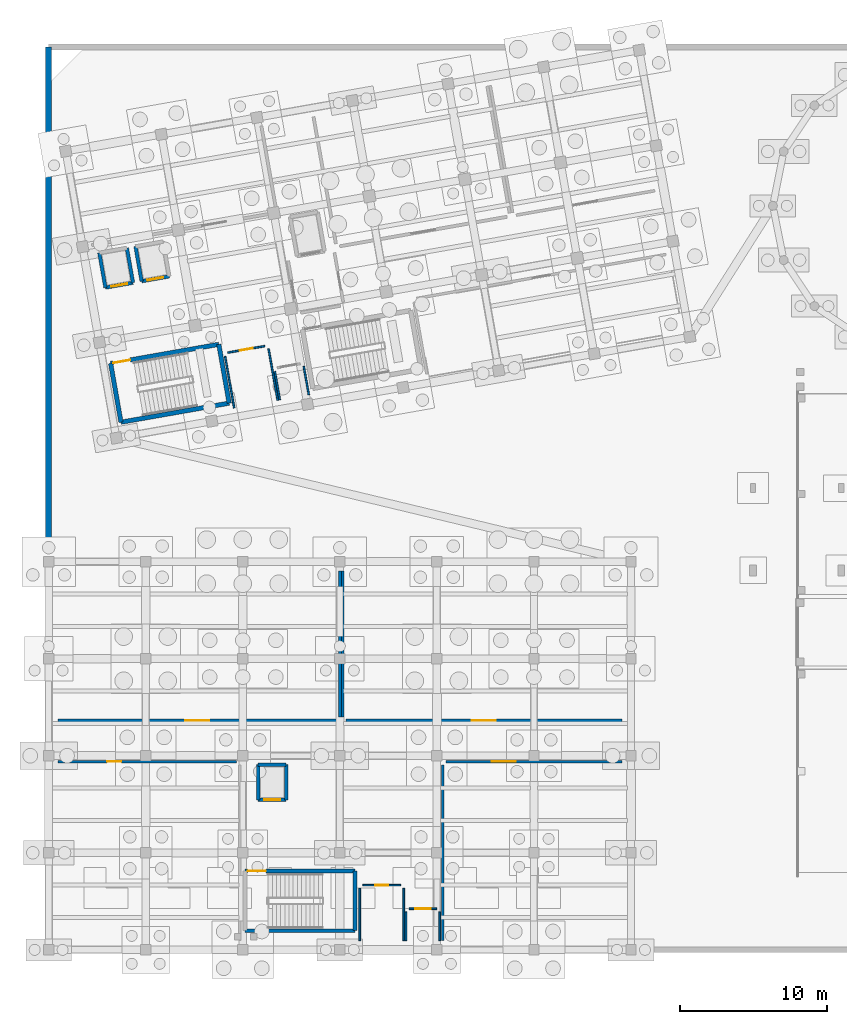
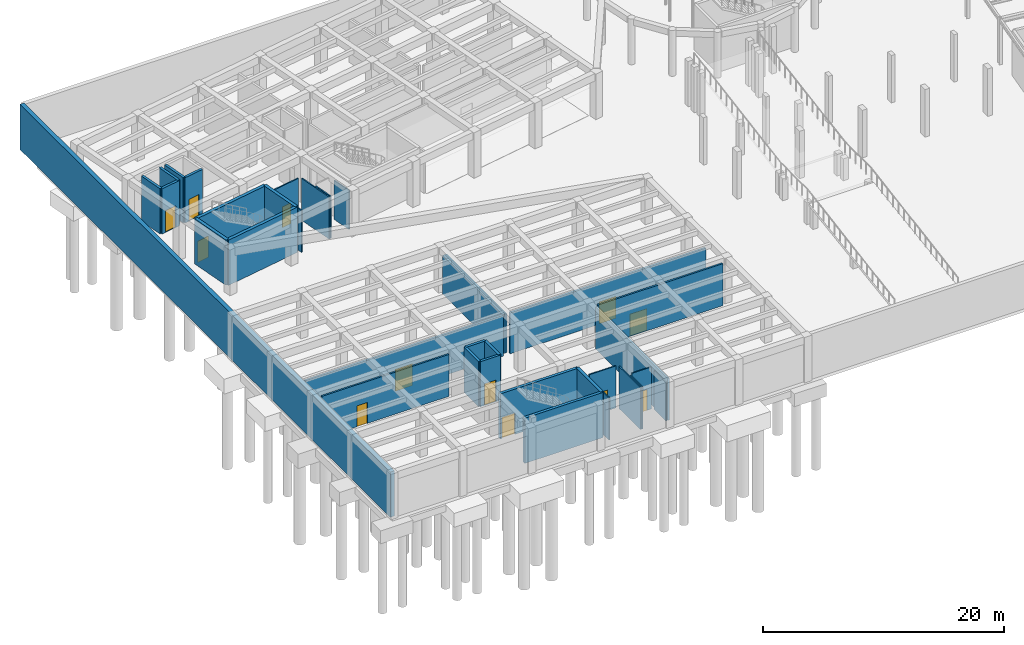
# One storey, part 22 of 34: 35 walls, 12 doors, 12 openings.
"""IFC4 building model written with IfcOpenShell, lengths in metres."""

from ifc_helpers import new_model, si_unit, direction, frame, frame_2d, origin, place, context, subcontext, project, spatial, rectangle, extrude, material, layer, layer_set, type_object, element, fill, save


model = new_model("IFC4")

# Units and contexts
model_context = context("Model", 3, precision=1e-05, world=origin(), true_north=direction((0.0, 1.0)))
body_context = subcontext(model_context, "Body", "Model", "MODEL_VIEW")
ifc_project = project(units=[si_unit("LENGTHUNIT", "METRE"), si_unit("AREAUNIT", "SQUARE_METRE"), si_unit("VOLUMEUNIT", "CUBIC_METRE"), si_unit("PLANEANGLEUNIT", "RADIAN"), si_unit("MASSUNIT", "GRAM", prefix="KILO")], contexts=[model_context])

# Site, building, storey
site_placement = place(None, origin())
site = spatial("IfcSite", under=ifc_project, at=site_placement, CompositionType="ELEMENT")
building_placement = place(site_placement, origin())
building = spatial("IfcBuilding", under=site, at=building_placement, Name="Kharisveld Research Institute", CompositionType="ELEMENT")
storey_placement = place(building_placement, frame((0.0, 0.0, -4.800048828125)))
storey = spatial("IfcBuildingStorey", under=building, at=storey_placement, Name="B1", CompositionType="ELEMENT", Elevation=-4.800048828125)

# Walls
ifc_material_1 = material(Name="Concrete C40/50", Category="concrete")
ifc_layer_1 = layer(ifc_material_1, 0.239990234375)
ifc_layer_set_1 = layer_set([ifc_layer_1], Name="WL_CORE_240")
wall_type_1 = type_object("IfcWallType", Name="WL_CORE_240", PredefinedType="SHEAR", material=ifc_layer_set_1)
for number, where, z_axis, x_axis, name in (
    (1, (4.462890625, 45.2373046875, 0.0), (0.0, 0.0, 1.0), (-0.173646056486, 0.984808127031, 0.0), "WL:LFT:PL-01:B1:W"),
    (2, (5.917236328125, 47.930908203125, 0.0), (0.0, 0.0, 1.0), (0.173646056486, -0.984808127031, 0.0), "WL:LFT:PL-01:B1:E"),
):
    element("IfcWall", number, at=place(storey_placement, frame(where, z_axis=z_axis, x_axis=x_axis)), inside=storey, type_object=wall_type_1, Name=name, PredefinedType="SHEAR", context=body_context, shape_type="SweptSolid", body=[
        extrude(rectangle(XDim=2.39990234375, YDim=0.239990234375, at=frame_2d((1.199951171875, 0.0))), origin(), (0.0, 0.0, 1.0), 4.580078125),
    ])

# Wall, opening, door
wall_1_placement = place(storey_placement, frame((6.333984375, 45.5673828125, 0.0), z_axis=(0.0, 0.0, 1.0), x_axis=(-0.984793905749, -0.173726691098, 0.0)))
wall_1 = element("IfcWall", 3, at=wall_1_placement, inside=storey, type_object=wall_type_1, Name="WL:LFT:PL-01:B1:S", PredefinedType="SHEAR", context=body_context, shape_type="SweptSolid", body=[
    extrude(rectangle(XDim=1.89990234375, YDim=0.239990234375, at=frame_2d((0.949951171875, 0.0))), origin(), (0.0, 0.0, 1.0), 4.580078125),
])
opening_1_placement = place(wall_1_placement, frame((0.39990234375, 0.0, 0.0)))
opening_1 = element("IfcOpeningElement", 4, at=opening_1_placement, cuts=wall_1, Name="Opening LD-01", PredefinedType="OPENING", context=body_context, shape_type="SweptSolid", body=[
    extrude(rectangle(XDim=1.10009765625, YDim=2.199951171875, at=frame_2d((0.550048828125, 1.10009765625))), frame((0.0, 0.1201171875, 0.0), z_axis=(0.0, -1.0, 0.0), x_axis=(1.0, 0.0, 0.0)), (0.0, 0.0, 1.0), 0.239990234375),
])
ifc_material_2 = material(Name="Flush Painted Hardwood and Anodised Aluminium", Category="wood")
door_type_1 = type_object("IfcDoorType", Name="DR_LFT_110", OperationType="SLIDING_TO_LEFT", PredefinedType="DOOR", material=ifc_material_2)
door_1_placement = place(opening_1_placement, origin())
door_1 = element("IfcDoor", 5, at=door_1_placement, inside=storey, type_object=door_type_1, Name="PL-01 Lift Landing Door B1", OperationType="SLIDING_TO_LEFT", OverallHeight=2.199951171875, OverallWidth=1.10009765625, PredefinedType="DOOR", context=body_context, shape_type="SweptSolid", body=[
    extrude(rectangle(XDim=1.10009765625, YDim=2.199951171875, at=frame_2d((0.550048828125, 1.10009765625))), frame((0.0, 0.02490234375, 0.0), z_axis=(0.0, -1.0, 0.0), x_axis=(1.0, 0.0, 0.0)), (0.0, 0.0, 1.0), 0.050048828125),
])
fill(opening_1, door_1)

# Wall
wall_2_placement = place(storey_placement, frame((6.9248046875, 45.67138671875, 0.0), z_axis=(0.0, 0.0, 1.0), x_axis=(-0.173646056486, 0.984808127031, 0.0)))
element("IfcWall", 6, at=wall_2_placement, inside=storey, type_object=wall_type_1, Name="WL:LFT:PL-02:B1:W", PredefinedType="SHEAR", context=body_context, shape_type="SweptSolid", body=[
    extrude(rectangle(XDim=2.39990234375, YDim=0.239990234375, at=frame_2d((1.199951171875, 0.0))), origin(), (0.0, 0.0, 1.0), 4.580078125),
])

# Wall, opening, door
wall_3_placement = place(storey_placement, frame((8.7958984375, 46.00146484375, 0.0), z_axis=(0.0, 0.0, 1.0), x_axis=(-0.984793905749, -0.173726691098, 0.0)))
wall_3 = element("IfcWall", 7, at=wall_3_placement, inside=storey, type_object=wall_type_1, Name="WL:LFT:PL-02:B1:S", PredefinedType="SHEAR", context=body_context, shape_type="SweptSolid", body=[
    extrude(rectangle(XDim=1.89990234375, YDim=0.239990234375, at=frame_2d((0.949951171875, 0.0))), origin(), (0.0, 0.0, 1.0), 4.580078125),
])
opening_2_placement = place(wall_3_placement, frame((0.39990234375, 0.0, 0.0)))
opening_2 = element("IfcOpeningElement", 8, at=opening_2_placement, cuts=wall_3, Name="Opening LD-01", PredefinedType="OPENING", context=body_context, shape_type="SweptSolid", body=[
    extrude(rectangle(XDim=1.10009765625, YDim=2.199951171875, at=frame_2d((0.550048828125, 1.10009765625))), frame((0.0, 0.1201171875, 0.0), z_axis=(0.0, -1.0, 0.0), x_axis=(1.0, 0.0, 0.0)), (0.0, 0.0, 1.0), 0.239990234375),
])
door_2_placement = place(opening_2_placement, origin())
door_2 = element("IfcDoor", 9, at=door_2_placement, inside=storey, type_object=door_type_1, Name="PL-02 Lift Landing Door B1", OperationType="SLIDING_TO_LEFT", OverallHeight=2.199951171875, OverallWidth=1.10009765625, PredefinedType="DOOR", context=body_context, shape_type="SweptSolid", body=[
    extrude(rectangle(XDim=1.10009765625, YDim=2.199951171875, at=frame_2d((0.550048828125, 1.10009765625))), frame((0.0, 0.02490234375, 0.0), z_axis=(0.0, -1.0, 0.0), x_axis=(1.0, 0.0, 0.0)), (0.0, 0.0, 1.0), 0.050048828125),
])
fill(opening_2, door_2)

# Walls
wall_4_placement = place(storey_placement, frame((14.85009765625, 10.39990234375, 0.0), z_axis=(0.0, 0.0, 1.0), x_axis=(0.0, 1.0, 0.0)))
element("IfcWall", 10, at=wall_4_placement, inside=storey, type_object=wall_type_1, Name="WL:LFT:PL-03:B1:W", PredefinedType="SHEAR", context=body_context, shape_type="SweptSolid", body=[
    extrude(rectangle(XDim=2.400146484375, YDim=0.239990234375, at=frame_2d((1.2001953125, 0.0))), origin(), (0.0, 0.0, 1.0), 4.580078125),
])
wall_5_placement = place(storey_placement, frame((14.85009765625, 12.800048828125, 0.0), z_axis=(0.0, 0.0, 1.0), x_axis=(1.0, 0.0, 0.0)))
element("IfcWall", 11, at=wall_5_placement, inside=storey, type_object=wall_type_1, Name="WL:LFT:PL-03:B1:N", PredefinedType="SHEAR", context=body_context, shape_type="SweptSolid", body=[
    extrude(rectangle(XDim=1.89990234375, YDim=0.239990234375, at=frame_2d((0.949951171875, 0.0))), origin(), (0.0, 0.0, 1.0), 4.580078125),
])
wall_6_placement = place(storey_placement, frame((16.75, 12.800048828125, 0.0), z_axis=(0.0, 0.0, 1.0), x_axis=(0.0, -1.0, 0.0)))
element("IfcWall", 12, at=wall_6_placement, inside=storey, type_object=wall_type_1, Name="WL:LFT:PL-03:B1:E", PredefinedType="SHEAR", context=body_context, shape_type="SweptSolid", body=[
    extrude(rectangle(XDim=2.400146484375, YDim=0.239990234375, at=frame_2d((1.2001953125, 0.0))), origin(), (0.0, 0.0, 1.0), 4.580078125),
])

# Wall, opening, door
wall_7_placement = place(storey_placement, frame((16.75, 10.39990234375, 0.0), z_axis=(0.0, 0.0, 1.0), x_axis=(-1.0, 0.0, 0.0)))
wall_7 = element("IfcWall", 13, at=wall_7_placement, inside=storey, type_object=wall_type_1, Name="WL:LFT:PL-03:B1:S", PredefinedType="SHEAR", context=body_context, shape_type="SweptSolid", body=[
    extrude(rectangle(XDim=1.89990234375, YDim=0.239990234375, at=frame_2d((0.949951171875, 0.0))), origin(), (0.0, 0.0, 1.0), 4.580078125),
])
opening_3_placement = place(wall_7_placement, frame((0.39990234375, 0.0, 0.0)))
opening_3 = element("IfcOpeningElement", 14, at=opening_3_placement, cuts=wall_7, Name="Opening LD-01", PredefinedType="OPENING", context=body_context, shape_type="SweptSolid", body=[
    extrude(rectangle(XDim=1.10009765625, YDim=2.199951171875, at=frame_2d((0.550048828125, 1.10009765625))), frame((0.0, 0.1201171875, 0.0), z_axis=(0.0, -1.0, 0.0), x_axis=(1.0, 0.0, 0.0)), (0.0, 0.0, 1.0), 0.239990234375),
])
door_3_placement = place(opening_3_placement, origin())
door_3 = element("IfcDoor", 15, at=door_3_placement, inside=storey, type_object=door_type_1, Name="PL-03 Lift Landing Door B1", OperationType="SLIDING_TO_LEFT", OverallHeight=2.199951171875, OverallWidth=1.10009765625, PredefinedType="DOOR", context=body_context, shape_type="SweptSolid", body=[
    extrude(rectangle(XDim=1.10009765625, YDim=2.199951171875, at=frame_2d((0.550048828125, 1.10009765625))), frame((0.0, 0.02490234375, 0.0), z_axis=(0.0, -1.0, 0.0), x_axis=(1.0, 0.0, 0.0)), (0.0, 0.0, 1.0), 0.050048828125),
])
fill(opening_3, door_3)

ifc_material_3 = material(Name="Concrete C40/50", Category="concrete")
ifc_layer_2 = layer(ifc_material_3, 0.27001953125)
ifc_layer_set_2 = layer_set([ifc_layer_2], Name="WL_CORE_270")
wall_type_2 = type_object("IfcWallType", Name="WL_CORE_270", PredefinedType="SHEAR", material=ifc_layer_set_2)
wall_8_placement = place(storey_placement, frame((13.949951171875, 5.56005859375, 0.0), z_axis=(0.0, 0.0, 1.0), x_axis=(1.0, 0.0, 0.0)))
wall_8 = element("IfcWall", 16, at=wall_8_placement, inside=storey, type_object=wall_type_2, Name="WL:STR:ST4:B1:N", PredefinedType="SHEAR", context=body_context, shape_type="SweptSolid", body=[
    extrude(rectangle(XDim=7.469970703125, YDim=0.27001953125, at=frame_2d((3.73486328125, 0.0))), origin(), (0.0, 0.0, 1.0), 4.580078125),
])
opening_4_placement = place(wall_8_placement, frame((0.179931640625, 0.0, 0.0)))
opening_4 = element("IfcOpeningElement", 17, at=opening_4_placement, cuts=wall_8, Name="Opening DS-036", PredefinedType="OPENING", context=body_context, shape_type="SweptSolid", body=[
    extrude(rectangle(XDim=1.239990234375, YDim=2.14990234375, at=frame_2d((0.6201171875, 1.074951171875))), frame((0.0, 0.135009765625, 0.0), z_axis=(0.0, -1.0, 0.0), x_axis=(1.0, 0.0, 0.0)), (0.0, 0.0, 1.0), 0.27001953125),
])
ifc_material_4 = material(Name="Flush Painted Hardwood and Anodised Aluminium", Category="wood")
door_type_2 = type_object("IfcDoorType", Name="DR_FD60_124", OperationType="NOTDEFINED", PredefinedType="DOOR", material=ifc_material_4)
door_4_placement = place(opening_4_placement, origin())
door_4 = element("IfcDoor", 18, at=door_4_placement, inside=storey, type_object=door_type_2, Name="DR:STR:ST4:B1", OperationType="SINGLE_SWING_RIGHT", OverallHeight=2.14990234375, OverallWidth=1.239990234375, PredefinedType="DOOR", context=body_context, shape_type="SweptSolid", body=[
    extrude(rectangle(XDim=1.239990234375, YDim=2.14990234375, at=frame_2d((0.6201171875, 1.074951171875))), frame((0.0, 0.02490234375, 0.0), z_axis=(0.0, -1.0, 0.0), x_axis=(1.0, 0.0, 0.0)), (0.0, 0.0, 1.0), 0.050048828125),
])
fill(opening_4, door_4)

# Walls
wall_9_placement = place(storey_placement, frame((21.419921875, 5.56005859375, 0.0), z_axis=(0.0, 0.0, 1.0), x_axis=(0.0, -1.0, 0.0)))
element("IfcWall", 19, at=wall_9_placement, inside=storey, type_object=wall_type_2, Name="WL:STR:ST4:B1:E", PredefinedType="SHEAR", context=body_context, shape_type="SweptSolid", body=[
    extrude(rectangle(XDim=4.06005859375, YDim=0.27001953125, at=frame_2d((2.030029296875, 0.0))), origin(), (0.0, 0.0, 1.0), 4.580078125),
])
wall_10_placement = place(storey_placement, frame((21.419921875, 1.5, 0.0), z_axis=(0.0, 0.0, 1.0), x_axis=(-1.0, 0.0, 0.0)))
element("IfcWall", 20, at=wall_10_placement, inside=storey, type_object=wall_type_2, Name="WL:STR:ST4:B1:S", PredefinedType="SHEAR", context=body_context, shape_type="SweptSolid", body=[
    extrude(rectangle(XDim=7.469970703125, YDim=0.27001953125, at=frame_2d((3.73486328125, 0.0))), origin(), (0.0, 0.0, 1.0), 4.580078125),
])
ifc_material_5 = material(Name="Concrete C40/50", Category="concrete")
ifc_layer_3 = layer(ifc_material_5, 0.300048828125)
ifc_layer_set_3 = layer_set([ifc_layer_3], Name="WL_CORE_300")
wall_type_3 = type_object("IfcWallType", Name="WL_CORE_300", PredefinedType="SHEAR", material=ifc_layer_set_3)
wall_11_placement = place(storey_placement, frame((5.518798828125, 36.08154296875, 0.0), z_axis=(0.0, 0.0, 1.0), x_axis=(-0.173665267602, 0.984804739443, 0.0)))
element("IfcWall", 21, at=wall_11_placement, inside=storey, type_object=wall_type_3, Name="WL:STR:ST1:B1:W", PredefinedType="SHEAR", context=body_context, shape_type="SweptSolid", body=[
    extrude(rectangle(XDim=4.06005859375, YDim=0.300048828125, at=frame_2d((2.030029296875, 0.0))), origin(), (0.0, 0.0, 1.0), 4.580078125),
])

# Wall, opening, door
wall_12_placement = place(storey_placement, frame((4.813720703125, 40.079833984375, 0.0), z_axis=(0.0, 0.0, 1.0), x_axis=(0.984802636214, 0.173677193974, 0.0)))
wall_12 = element("IfcWall", 22, at=wall_12_placement, inside=storey, type_object=wall_type_3, Name="WL:STR:ST1:B1:N", PredefinedType="SHEAR", context=body_context, shape_type="SweptSolid", body=[
    extrude(rectangle(XDim=7.469970703125, YDim=0.300048828125, at=frame_2d((3.73486328125, 0.0))), origin(), (0.0, 0.0, 1.0), 4.580078125),
])
opening_5_placement = place(wall_12_placement, frame((0.179931640625, 0.0, 0.0)))
opening_5 = element("IfcOpeningElement", 23, at=opening_5_placement, cuts=wall_12, Name="Opening DS-001", PredefinedType="OPENING", context=body_context, shape_type="SweptSolid", body=[
    extrude(rectangle(XDim=1.179931640625, YDim=2.14990234375, at=frame_2d((0.58984375, 1.074951171875))), frame((0.0, 0.14990234375, 0.0), z_axis=(0.0, -1.0, 0.0), x_axis=(1.0, 0.0, 0.0)), (0.0, 0.0, 1.0), 0.300048828125),
])
ifc_material_6 = material(Name="Flush Painted Hardwood and Anodised Aluminium", Category="wood")
door_type_3 = type_object("IfcDoorType", Name="DR_FD60_118", OperationType="NOTDEFINED", PredefinedType="DOOR", material=ifc_material_6)
door_5_placement = place(opening_5_placement, origin())
door_5 = element("IfcDoor", 24, at=door_5_placement, inside=storey, type_object=door_type_3, Name="DR:STR:ST1:B1", OperationType="SINGLE_SWING_RIGHT", OverallHeight=2.14990234375, OverallWidth=1.179931640625, PredefinedType="DOOR", context=body_context, shape_type="SweptSolid", body=[
    extrude(rectangle(XDim=1.179931640625, YDim=2.14990234375, at=frame_2d((0.58984375, 1.074951171875))), frame((0.0, 0.02490234375, 0.0), z_axis=(0.0, -1.0, 0.0), x_axis=(1.0, 0.0, 0.0)), (0.0, 0.0, 1.0), 0.050048828125),
])
fill(opening_5, door_5)

# Walls
wall_13_placement = place(storey_placement, frame((12.170166015625, 41.377197265625, 0.0), z_axis=(0.0, 0.0, 1.0), x_axis=(0.173654983803, -0.984806552883, 0.0)))
element("IfcWall", 25, at=wall_13_placement, inside=storey, type_object=wall_type_3, Name="WL:STR:ST1:B1:E", PredefinedType="SHEAR", context=body_context, shape_type="SweptSolid", body=[
    extrude(rectangle(XDim=4.060302734375, YDim=0.300048828125, at=frame_2d((2.0302734375, 0.0))), origin(), (0.0, 0.0, 1.0), 4.580078125),
])
wall_14_placement = place(storey_placement, frame((12.875244140625, 37.378662109375, 0.0), z_axis=(0.0, 0.0, 1.0), x_axis=(-0.984808225754, -0.173645496596, 0.0)))
element("IfcWall", 26, at=wall_14_placement, inside=storey, type_object=wall_type_3, Name="WL:STR:ST1:B1:S", PredefinedType="SHEAR", context=body_context, shape_type="SweptSolid", body=[
    extrude(rectangle(XDim=7.469970703125, YDim=0.300048828125, at=frame_2d((3.73486328125, 0.0))), origin(), (0.0, 0.0, 1.0), 4.580078125),
])

# Wall, opening, door
ifc_material_7 = material(Name="Acoustic Drywall Partition", Category="mineral")
ifc_layer_4 = layer(ifc_material_7, 0.1650390625)
ifc_layer_set_4 = layer_set([ifc_layer_4], Name="WL_LAB_165")
wall_type_4 = type_object("IfcWallType", Name="WL_LAB_165", PredefinedType="PARTITIONING", material=ifc_layer_set_4)
wall_15_placement = place(storey_placement, frame((13.3798828125, 13.0, 0.0), z_axis=(0.0, 0.0, 1.0), x_axis=(-1.0, 0.0, 0.0)))
wall_15 = element("IfcWall", 27, at=wall_15_placement, inside=storey, type_object=wall_type_4, Name="WL:RM:V3:B1:MET:N", PredefinedType="PARTITIONING", context=body_context, shape_type="SweptSolid", body=[
    extrude(rectangle(XDim=12.159912109375, YDim=0.1650390625, at=frame_2d((6.080078125, 0.0))), origin(), (0.0, 0.0, 1.0), 4.25),
])
opening_6_placement = place(wall_15_placement, frame((7.8330078125, 0.0, 0.0)))
opening_6 = element("IfcOpeningElement", 28, at=opening_6_placement, cuts=wall_15, Name="Opening DI-267", PredefinedType="OPENING", context=body_context, shape_type="SweptSolid", body=[
    extrude(rectangle(XDim=0.969970703125, YDim=2.1201171875, at=frame_2d((0.48486328125, 1.06005859375))), frame((0.0, 0.08251953125, 0.0), z_axis=(0.0, -1.0, 0.0), x_axis=(1.0, 0.0, 0.0)), (0.0, 0.0, 1.0), 0.1650390625),
])
ifc_material_8 = material(Name="Flush Painted Hardwood and Anodised Aluminium", Category="wood")
door_type_4 = type_object("IfcDoorType", Name="DR_VAR_03", OperationType="NOTDEFINED", PredefinedType="DOOR", material=ifc_material_8)
door_6_placement = place(opening_6_placement, origin())
door_6 = element("IfcDoor", 29, at=door_6_placement, inside=storey, type_object=door_type_4, Name="DR:RM:V3:B1:MET:N", OperationType="SINGLE_SWING_RIGHT", OverallHeight=2.1201171875, OverallWidth=0.969970703125, PredefinedType="DOOR", context=body_context, shape_type="SweptSolid", body=[
    extrude(rectangle(XDim=0.969970703125, YDim=2.1201171875, at=frame_2d((0.48486328125, 1.06005859375))), frame((0.0, 0.02490234375, 0.0), z_axis=(0.0, -1.0, 0.0), x_axis=(1.0, 0.0, 0.0)), (0.0, 0.0, 1.0), 0.050048828125),
])
fill(opening_6, door_6)

# Wall
ifc_material_9 = material(Name="Concrete C35/45", Category="concrete")
ifc_layer_5 = layer(ifc_material_9, 0.39990234375)
ifc_layer_set_5 = layer_set([ifc_layer_5], Name="WL_RET_400")
wall_type_5 = type_object("IfcWallType", Name="WL_RET_400", PredefinedType="USERDEFINED", material=ifc_layer_set_5)
wall_16_placement = place(storey_placement, frame((0.60009765625, 0.199951171875, 0.0), z_axis=(0.0, 0.0, 1.0), x_axis=(0.0, 1.0, 0.0)))
element("IfcWall", 30, at=wall_16_placement, inside=storey, type_object=wall_type_5, Name="WL:B1:RET_WEST", ObjectType="RETAINING WALL", PredefinedType="USERDEFINED", context=body_context, shape_type="SweptSolid", body=[
    extrude(rectangle(XDim=61.400146484375, YDim=0.39990234375, at=frame_2d((30.7001953125, 0.0))), origin(), (0.0, 0.0, 1.0), 4.580078125),
])

# Wall, opening, door
ifc_material_10 = material(Name="Concrete C35/45", Category="concrete")
ifc_layer_6 = layer(ifc_material_10, 0.199951171875)
ifc_layer_set_6 = layer_set([ifc_layer_6], Name="WL_SHF_200")
wall_type_6 = type_object("IfcWallType", Name="WL_SHF_200", PredefinedType="SOLIDWALL", material=ifc_layer_set_6)
wall_17_placement = place(storey_placement, frame((1.219970703125, 15.800048828125, 0.0), z_axis=(0.0, 0.0, 1.0), x_axis=(1.0, 0.0, 0.0)))
wall_17 = element("IfcWall", 31, at=wall_17_placement, inside=storey, type_object=wall_type_6, Name="WL:RM:V3:B1:SFB:S", PredefinedType="SOLIDWALL", context=body_context, shape_type="SweptSolid", body=[
    extrude(rectangle(XDim=18.9599609375, YDim=0.199951171875, at=frame_2d((9.47998046875, 0.0))), origin(), (0.0, 0.0, 1.0), 4.135009765625),
])
opening_7_placement = place(wall_17_placement, frame((8.659912109375, 0.0, 0.0)))
opening_7 = element("IfcOpeningElement", 32, at=opening_7_placement, cuts=wall_17, Name="Opening DI-265", PredefinedType="OPENING", context=body_context, shape_type="SweptSolid", body=[
    extrude(rectangle(XDim=1.639892578125, YDim=2.199951171875, at=frame_2d((0.81982421875, 1.10009765625))), frame((0.0, 0.10009765625, 0.0), z_axis=(0.0, -1.0, 0.0), x_axis=(1.0, 0.0, 0.0)), (0.0, 0.0, 1.0), 0.199951171875),
])
ifc_material_11 = material(Name="Flush Painted Hardwood and Anodised Aluminium", Category="wood")
door_type_5 = type_object("IfcDoorType", Name="DR_FD60_164", OperationType="DOUBLE_DOOR_SINGLE_SWING", PredefinedType="DOOR", material=ifc_material_11)
door_7_placement = place(opening_7_placement, origin())
door_7 = element("IfcDoor", 33, at=door_7_placement, inside=storey, type_object=door_type_5, Name="DR:RM:V3:B1:SFB:S", OperationType="DOUBLE_DOOR_SINGLE_SWING", OverallHeight=2.199951171875, OverallWidth=1.639892578125, PredefinedType="DOOR", context=body_context, shape_type="SweptSolid", body=[
    extrude(rectangle(XDim=1.639892578125, YDim=2.199951171875, at=frame_2d((0.81982421875, 1.10009765625))), frame((0.0, 0.02490234375, 0.0), z_axis=(0.0, -1.0, 0.0), x_axis=(1.0, 0.0, 0.0)), (0.0, 0.0, 1.0), 0.050048828125),
])
fill(opening_7, door_7)

# Wall
wall_18_placement = place(storey_placement, frame((20.39990234375, 16.02001953125, 0.0), z_axis=(0.0, 0.0, 1.0), x_axis=(0.0, 1.0, 0.0)))
element("IfcWall", 34, at=wall_18_placement, inside=storey, type_object=wall_type_6, Name="WL:RM:V3:B1:SFB:E", PredefinedType="SOLIDWALL", context=body_context, shape_type="SweptSolid", body=[
    extrude(rectangle(XDim=9.9599609375, YDim=0.199951171875, at=frame_2d((4.97998046875, 0.0))), origin(), (0.0, 0.0, 1.0), 3.93505859375),
])

# Wall, opening, door
wall_19_placement = place(storey_placement, frame((20.820068359375, 15.800048828125, 0.0), z_axis=(0.0, 0.0, 1.0), x_axis=(1.0, 0.0, 0.0)))
wall_19 = element("IfcWall", 35, at=wall_19_placement, inside=storey, type_object=wall_type_6, Name="WL:RM:V3:B1:CAR:S", PredefinedType="SOLIDWALL", context=body_context, shape_type="SweptSolid", body=[
    extrude(rectangle(XDim=18.760009765625, YDim=0.199951171875, at=frame_2d((9.3798828125, 0.0))), origin(), (0.0, 0.0, 1.0), 4.135009765625),
])
opening_8_placement = place(wall_19_placement, frame((8.56005859375, 0.0, 0.0)))
opening_8 = element("IfcOpeningElement", 36, at=opening_8_placement, cuts=wall_19, Name="Opening DI-266", PredefinedType="OPENING", context=body_context, shape_type="SweptSolid", body=[
    extrude(rectangle(XDim=1.639892578125, YDim=2.199951171875, at=frame_2d((0.81982421875, 1.10009765625))), frame((0.0, 0.10009765625, 0.0), z_axis=(0.0, -1.0, 0.0), x_axis=(1.0, 0.0, 0.0)), (0.0, 0.0, 1.0), 0.199951171875),
])
door_8_placement = place(opening_8_placement, origin())
door_8 = element("IfcDoor", 37, at=door_8_placement, inside=storey, type_object=door_type_5, Name="DR:RM:V3:B1:CAR:S", OperationType="DOUBLE_DOOR_SINGLE_SWING", OverallHeight=2.199951171875, OverallWidth=1.639892578125, PredefinedType="DOOR", context=body_context, shape_type="SweptSolid", body=[
    extrude(rectangle(XDim=1.639892578125, YDim=2.199951171875, at=frame_2d((0.81982421875, 1.10009765625))), frame((0.0, 0.02490234375, 0.0), z_axis=(0.0, -1.0, 0.0), x_axis=(1.0, 0.0, 0.0)), (0.0, 0.0, 1.0), 0.050048828125),
])
fill(opening_8, door_8)

# Wall
wall_20_placement = place(storey_placement, frame((20.60009765625, 25.97998046875, 0.0), z_axis=(0.0, 0.0, 1.0), x_axis=(0.0, -1.0, 0.0)))
element("IfcWall", 38, at=wall_20_placement, inside=storey, type_object=wall_type_6, Name="WL:RM:V3:B1:CAR:W", PredefinedType="SOLIDWALL", context=body_context, shape_type="SweptSolid", body=[
    extrude(rectangle(XDim=9.9599609375, YDim=0.199951171875, at=frame_2d((4.97998046875, 0.0))), origin(), (0.0, 0.0, 1.0), 3.93505859375),
])

# Wall, opening, door
ifc_material_12 = material(Name="Masonry Blockwork", Category="masonry")
ifc_layer_7 = layer(ifc_material_12, 0.175048828125)
ifc_layer_set_7 = layer_set([ifc_layer_7], Name="WL_STR_175")
wall_type_7 = type_object("IfcWallType", Name="WL_STR_175", PredefinedType="SOLIDWALL", material=ifc_layer_set_7)
wall_21_placement = place(storey_placement, frame((39.580078125, 13.0, 0.0), z_axis=(0.0, 0.0, 1.0), x_axis=(-1.0, 0.0, 0.0)))
wall_21 = element("IfcWall", 39, at=wall_21_placement, inside=storey, type_object=wall_type_7, Name="WL:RM:V3:B1:STRB:N", PredefinedType="SOLIDWALL", context=body_context, shape_type="SweptSolid", body=[
    extrude(rectangle(XDim=11.9599609375, YDim=0.175048828125, at=frame_2d((5.97998046875, 0.0))), origin(), (0.0, 0.0, 1.0), 4.25),
])
opening_9_placement = place(wall_21_placement, frame((7.22412109375, 0.0, 0.0)))
opening_9 = element("IfcOpeningElement", 40, at=opening_9_placement, cuts=wall_21, Name="Opening DI-268", PredefinedType="OPENING", context=body_context, shape_type="SweptSolid", body=[
    extrude(rectangle(XDim=1.639892578125, YDim=2.199951171875, at=frame_2d((0.81982421875, 1.10009765625))), frame((0.0, 0.08740234375, 0.0), z_axis=(0.0, -1.0, 0.0), x_axis=(1.0, 0.0, 0.0)), (0.0, 0.0, 1.0), 0.175048828125),
])
door_9_placement = place(opening_9_placement, origin())
door_9 = element("IfcDoor", 41, at=door_9_placement, inside=storey, type_object=door_type_5, Name="DR:RM:V3:B1:STRB:N", OperationType="DOUBLE_DOOR_SINGLE_SWING", OverallHeight=2.199951171875, OverallWidth=1.639892578125, PredefinedType="DOOR", context=body_context, shape_type="SweptSolid", body=[
    extrude(rectangle(XDim=1.639892578125, YDim=2.199951171875, at=frame_2d((0.81982421875, 1.10009765625))), frame((0.0, 0.02490234375, 0.0), z_axis=(0.0, -1.0, 0.0), x_axis=(1.0, 0.0, 0.0)), (0.0, 0.0, 1.0), 0.050048828125),
])
fill(opening_9, door_9)

# Walls
wall_22_placement = place(storey_placement, frame((27.39990234375, 12.780029296875, 0.0), z_axis=(0.0, 0.0, 1.0), x_axis=(0.0, -1.0, 0.0)))
element("IfcWall", 42, at=wall_22_placement, inside=storey, type_object=wall_type_7, Name="WL:RM:V3:B1:STRB:W", PredefinedType="SOLIDWALL", context=body_context, shape_type="SweptSolid", body=[
    extrude(rectangle(XDim=11.9599609375, YDim=0.175048828125, at=frame_2d((5.97998046875, 0.0))), origin(), (0.0, 0.0, 1.0), 4.25),
])
ifc_material_13 = material(Name="Moisture-Resistant Partition", Category="mineral")
ifc_layer_8 = layer(ifc_material_13, 0.114990234375)
ifc_layer_set_8 = layer_set([ifc_layer_8], Name="WL_WC_115")
wall_type_8 = type_object("IfcWallType", Name="WL_WC_115", PredefinedType="PARTITIONING", material=ifc_layer_set_8)
wall_23_placement = place(storey_placement, frame((16.17138671875, 37.57421875, 0.0), z_axis=(0.0, 0.0, 1.0), x_axis=(-0.173644490041, 0.984808403233, 0.0)))
element("IfcWall", 43, at=wall_23_placement, inside=storey, type_object=wall_type_8, Name="WL:RM:V1:B1:WCM:E", PredefinedType="PARTITIONING", context=body_context, shape_type="SweptSolid", body=[
    extrude(rectangle(XDim=3.56005859375, YDim=0.114990234375, at=frame_2d((1.780029296875, 0.0))), origin(), (0.0, 0.0, 1.0), 4.25),
])

# Wall, opening, door
wall_24_placement = place(storey_placement, frame((15.29833984375, 41.258544921875, 0.0), z_axis=(0.0, 0.0, 1.0), x_axis=(-0.984803714572, -0.17367107924, 0.0)))
wall_24 = element("IfcWall", 44, at=wall_24_placement, inside=storey, type_object=wall_type_8, Name="WL:RM:V1:B1:WCM:N", PredefinedType="PARTITIONING", context=body_context, shape_type="SweptSolid", body=[
    extrude(rectangle(XDim=2.559814453125, YDim=0.114990234375, at=frame_2d((1.27978515625, 0.0))), origin(), (0.0, 0.0, 1.0), 4.25),
])
opening_10_placement = place(wall_24_placement, frame((0.830078125, 0.0, 0.0)))
opening_10 = element("IfcOpeningElement", 45, at=opening_10_placement, cuts=wall_24, Name="Opening DI-054", PredefinedType="OPENING", context=body_context, shape_type="SweptSolid", body=[
    extrude(rectangle(XDim=0.89990234375, YDim=2.10009765625, at=frame_2d((0.449951171875, 1.050048828125))), frame((0.0, 0.0576171875, 0.0), z_axis=(0.0, -1.0, 0.0), x_axis=(1.0, 0.0, 0.0)), (0.0, 0.0, 1.0), 0.114990234375),
])
ifc_material_14 = material(Name="Flush Painted Hardwood and Anodised Aluminium", Category="wood")
door_type_6 = type_object("IfcDoorType", Name="DR_WC_090", OperationType="NOTDEFINED", PredefinedType="DOOR", material=ifc_material_14)
door_10_placement = place(opening_10_placement, origin())
door_10 = element("IfcDoor", 46, at=door_10_placement, inside=storey, type_object=door_type_6, Name="DR:RM:V1:B1:WCM:N", OperationType="SINGLE_SWING_LEFT", OverallHeight=2.10009765625, OverallWidth=0.89990234375, PredefinedType="DOOR", context=body_context, shape_type="SweptSolid", body=[
    extrude(rectangle(XDim=0.89990234375, YDim=2.10009765625, at=frame_2d((0.449951171875, 1.050048828125))), frame((0.0, 0.02490234375, 0.0), z_axis=(0.0, -1.0, 0.0), x_axis=(1.0, 0.0, 0.0)), (0.0, 0.0, 1.0), 0.050048828125),
])
fill(opening_10, door_10)

# Walls
wall_25_placement = place(storey_placement, frame((12.598876953125, 40.55908203125, 0.0), z_axis=(0.0, 0.0, 1.0), x_axis=(0.173644490041, -0.984808403233, 0.0)))
element("IfcWall", 47, at=wall_25_placement, inside=storey, type_object=wall_type_8, Name="WL:RM:V1:B1:WCM:W", PredefinedType="PARTITIONING", context=body_context, shape_type="SweptSolid", body=[
    extrude(rectangle(XDim=3.56005859375, YDim=0.114990234375, at=frame_2d((1.780029296875, 0.0))), origin(), (0.0, 0.0, 1.0), 4.25),
])
wall_26_placement = place(storey_placement, frame((18.288818359375, 37.947509765625, 0.0), z_axis=(0.0, 0.0, 1.0), x_axis=(-0.173643211285, 0.984808628706, 0.0)))
element("IfcWall", 48, at=wall_26_placement, inside=storey, type_object=wall_type_8, Name="WL:RM:V1:B1:WCA:E", PredefinedType="PARTITIONING", context=body_context, shape_type="SweptSolid", body=[
    extrude(rectangle(XDim=1.9599609375, YDim=0.114990234375, at=frame_2d((0.97998046875, 0.0))), origin(), (0.0, 0.0, 1.0), 3.945068359375),
])
wall_27_placement = place(storey_placement, frame((15.978759765625, 39.5302734375, 0.0), z_axis=(0.0, 0.0, 1.0), x_axis=(0.173643211285, -0.984808628706, 0.0)))
element("IfcWall", 49, at=wall_27_placement, inside=storey, type_object=wall_type_8, Name="WL:RM:V1:B1:WCA:W", PredefinedType="PARTITIONING", context=body_context, shape_type="SweptSolid", body=[
    extrude(rectangle(XDim=1.9599609375, YDim=0.114990234375, at=frame_2d((0.97998046875, 0.0))), origin(), (0.0, 0.0, 1.0), 4.25),
])
wall_28_placement = place(storey_placement, frame((24.75, 0.820068359375, 0.0), z_axis=(0.0, 0.0, 1.0), x_axis=(0.0, 1.0, 0.0)))
element("IfcWall", 50, at=wall_28_placement, inside=storey, type_object=wall_type_8, Name="WL:RM:V3:B1:WCM:E", PredefinedType="PARTITIONING", context=body_context, shape_type="SweptSolid", body=[
    extrude(rectangle(XDim=3.559814453125, YDim=0.114990234375, at=frame_2d((1.77978515625, 0.0))), origin(), (0.0, 0.0, 1.0), 4.25),
])

# Wall, opening, door
wall_29_placement = place(storey_placement, frame((24.530029296875, 4.60009765625, 0.0), z_axis=(0.0, 0.0, 1.0), x_axis=(-1.0, 0.0, 0.0)))
wall_29 = element("IfcWall", 51, at=wall_29_placement, inside=storey, type_object=wall_type_8, Name="WL:RM:V3:B1:WCM:N", PredefinedType="PARTITIONING", context=body_context, shape_type="SweptSolid", body=[
    extrude(rectangle(XDim=2.56005859375, YDim=0.114990234375, at=frame_2d((1.280029296875, 0.0))), origin(), (0.0, 0.0, 1.0), 4.25),
])
opening_11_placement = place(wall_29_placement, frame((0.830078125, 0.0, 0.0)))
opening_11 = element("IfcOpeningElement", 52, at=opening_11_placement, cuts=wall_29, Name="Opening DI-263", PredefinedType="OPENING", context=body_context, shape_type="SweptSolid", body=[
    extrude(rectangle(XDim=0.89990234375, YDim=2.10009765625, at=frame_2d((0.449951171875, 1.050048828125))), frame((0.0, 0.0576171875, 0.0), z_axis=(0.0, -1.0, 0.0), x_axis=(1.0, 0.0, 0.0)), (0.0, 0.0, 1.0), 0.114990234375),
])
door_11_placement = place(opening_11_placement, origin())
door_11 = element("IfcDoor", 53, at=door_11_placement, inside=storey, type_object=door_type_6, Name="DR:RM:V3:B1:WCM:N", OperationType="SINGLE_SWING_RIGHT", OverallHeight=2.10009765625, OverallWidth=0.89990234375, PredefinedType="DOOR", context=body_context, shape_type="SweptSolid", body=[
    extrude(rectangle(XDim=0.89990234375, YDim=2.10009765625, at=frame_2d((0.449951171875, 1.050048828125))), frame((0.0, 0.02490234375, 0.0), z_axis=(0.0, -1.0, 0.0), x_axis=(1.0, 0.0, 0.0)), (0.0, 0.0, 1.0), 0.050048828125),
])
fill(opening_11, door_11)

# Walls
wall_30_placement = place(storey_placement, frame((21.75, 4.3798828125, 0.0), z_axis=(0.0, 0.0, 1.0), x_axis=(0.0, -1.0, 0.0)))
element("IfcWall", 54, at=wall_30_placement, inside=storey, type_object=wall_type_8, Name="WL:RM:V3:B1:WCM:W", PredefinedType="PARTITIONING", context=body_context, shape_type="SweptSolid", body=[
    extrude(rectangle(XDim=3.559814453125, YDim=0.114990234375, at=frame_2d((1.77978515625, 0.0))), origin(), (0.0, 0.0, 1.0), 4.25),
])
wall_31_placement = place(storey_placement, frame((27.199951171875, 0.820068359375, 0.0), z_axis=(0.0, 0.0, 1.0), x_axis=(0.0, 1.0, 0.0)))
element("IfcWall", 55, at=wall_31_placement, inside=storey, type_object=wall_type_8, Name="WL:RM:V3:B1:WCA:E", PredefinedType="PARTITIONING", context=body_context, shape_type="SweptSolid", body=[
    extrude(rectangle(XDim=1.9599609375, YDim=0.114990234375, at=frame_2d((0.97998046875, 0.0))), origin(), (0.0, 0.0, 1.0), 3.93505859375),
])

# Wall, opening, door
wall_32_placement = place(storey_placement, frame((26.97998046875, 3.0, 0.0), z_axis=(0.0, 0.0, 1.0), x_axis=(-1.0, 0.0, 0.0)))
wall_32 = element("IfcWall", 56, at=wall_32_placement, inside=storey, type_object=wall_type_8, Name="WL:RM:V3:B1:WCA:N", PredefinedType="PARTITIONING", context=body_context, shape_type="SweptSolid", body=[
    extrude(rectangle(XDim=1.85986328125, YDim=0.114990234375, at=frame_2d((0.929931640625, 0.0))), origin(), (0.0, 0.0, 1.0), 4.25),
])
opening_12_placement = place(wall_32_placement, frame((0.39990234375, 0.0, 0.0)))
opening_12 = element("IfcOpeningElement", 57, at=opening_12_placement, cuts=wall_32, Name="Opening DI-264", PredefinedType="OPENING", context=body_context, shape_type="SweptSolid", body=[
    extrude(rectangle(XDim=1.06005859375, YDim=2.1201171875, at=frame_2d((0.530029296875, 1.06005859375))), frame((0.0, 0.0576171875, 0.0), z_axis=(0.0, -1.0, 0.0), x_axis=(1.0, 0.0, 0.0)), (0.0, 0.0, 1.0), 0.114990234375),
])
ifc_material_15 = material(Name="Flush Painted Hardwood and Anodised Aluminium", Category="wood")
door_type_7 = type_object("IfcDoorType", Name="DR_WCA_106", OperationType="NOTDEFINED", PredefinedType="DOOR", material=ifc_material_15)
door_12_placement = place(opening_12_placement, origin())
door_12 = element("IfcDoor", 58, at=door_12_placement, inside=storey, type_object=door_type_7, Name="DR:RM:V3:B1:WCA:N", OperationType="SINGLE_SWING_LEFT", OverallHeight=2.1201171875, OverallWidth=1.06005859375, PredefinedType="DOOR", context=body_context, shape_type="SweptSolid", body=[
    extrude(rectangle(XDim=1.06005859375, YDim=2.1201171875, at=frame_2d((0.530029296875, 1.06005859375))), frame((0.0, 0.02490234375, 0.0), z_axis=(0.0, -1.0, 0.0), x_axis=(1.0, 0.0, 0.0)), (0.0, 0.0, 1.0), 0.050048828125),
])
fill(opening_12, door_12)

# Wall
wall_33_placement = place(storey_placement, frame((24.89990234375, 2.780029296875, 0.0), z_axis=(0.0, 0.0, 1.0), x_axis=(0.0, -1.0, 0.0)))
element("IfcWall", 59, at=wall_33_placement, inside=storey, type_object=wall_type_8, Name="WL:RM:V3:B1:WCA:W", PredefinedType="PARTITIONING", context=body_context, shape_type="SweptSolid", body=[
    extrude(rectangle(XDim=1.9599609375, YDim=0.114990234375, at=frame_2d((0.97998046875, 0.0))), origin(), (0.0, 0.0, 1.0), 4.25),
])

save(model, "model.ifc")
